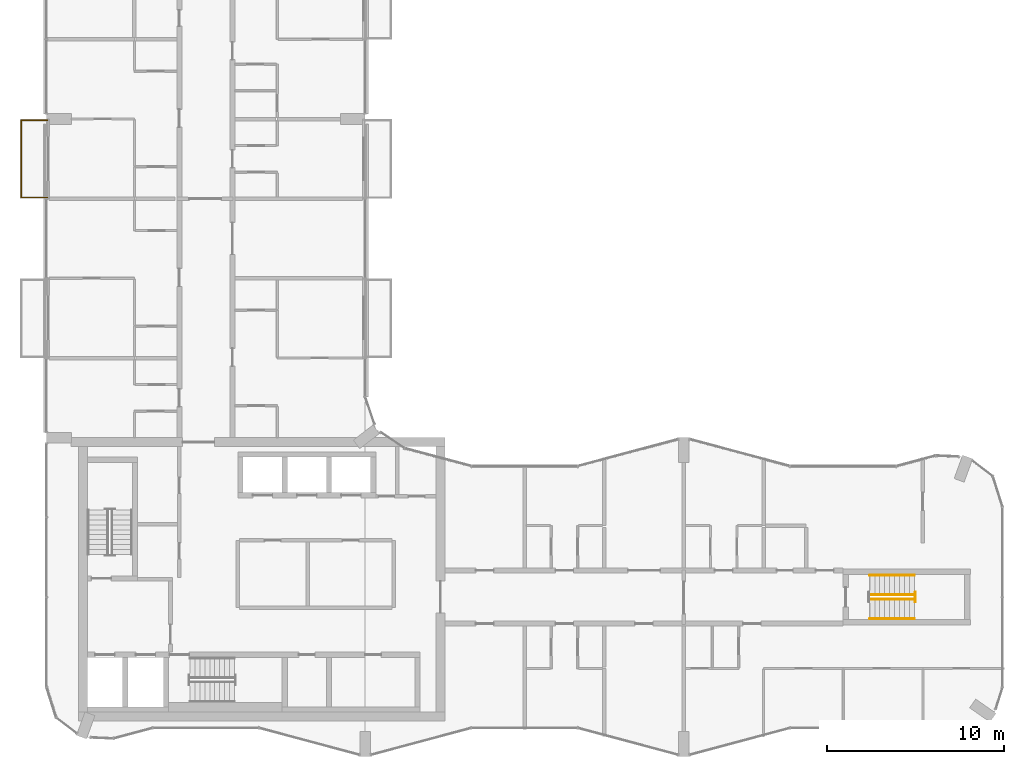
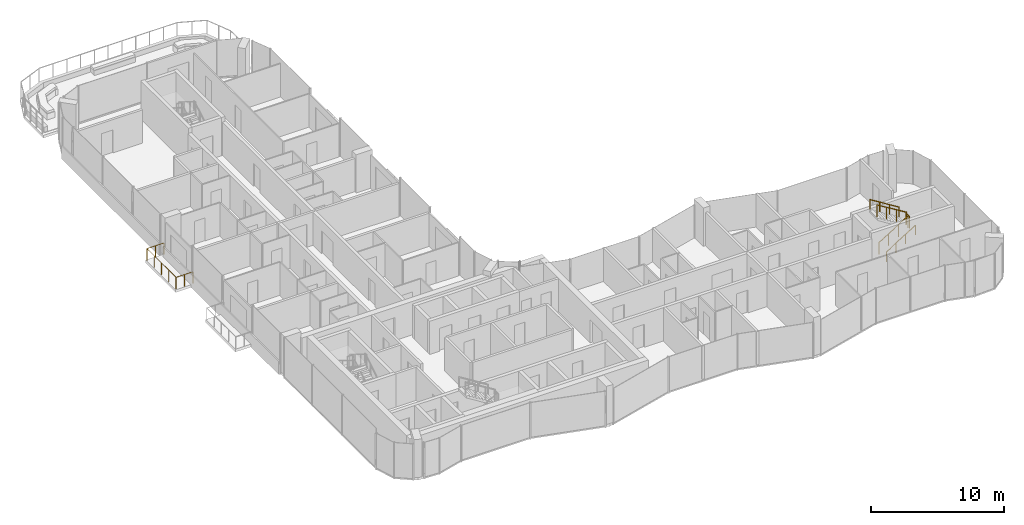
# One storey, part 16 of 17: 6 railings.
"""IFC4 building model written with IfcOpenShell, lengths in metres."""

from ifc_helpers import new_model, si_unit, direction, frame, origin, origin_2d, place, context, subcontext, project, spatial, circle, extrude, material, type_object, element, save


model = new_model("IFC4")

# Units and contexts
model_context = context("Model", 3, precision=1e-05, world=origin(), true_north=direction((0.0, 1.0)))
body_context = subcontext(model_context, "Body", "Model", "MODEL_VIEW")
ifc_project = project(units=[si_unit("LENGTHUNIT", "METRE"), si_unit("AREAUNIT", "SQUARE_METRE"), si_unit("VOLUMEUNIT", "CUBIC_METRE"), si_unit("PLANEANGLEUNIT", "RADIAN"), si_unit("MASSUNIT", "GRAM", prefix="KILO")], contexts=[model_context])

# Site, building, storey
site_placement = place(None, origin())
site = spatial("IfcSite", under=ifc_project, at=site_placement, CompositionType="ELEMENT")
building_placement = place(site_placement, origin())
building = spatial("IfcBuilding", under=site, at=building_placement, Name="Plateau Cross Towers", CompositionType="ELEMENT")
storey_placement = place(building_placement, frame((0.0, 0.0, 225.89990234375)))
storey = spatial("IfcBuildingStorey", under=building, at=storey_placement, Name="L59", CompositionType="ELEMENT", Elevation=225.89990234375)

# Railings
ifc_material_1 = material(Name="Stainless steel and toughened glass", Category="steel")
railing_type_1 = type_object("IfcRailingType", Name="Glass balustrade guard 1100", PredefinedType="GUARDRAIL", material=ifc_material_1)
railing_1_placement = place(storey_placement, frame((0.050048828125, 31.570068359375, 0.0)))
element("IfcRailing", 1, at=railing_1_placement, inside=storey, type_object=railing_type_1, Name="Guard guard1", PredefinedType="GUARDRAIL", context=body_context, shape_type="SweptSolid", body=[
    extrude(circle(Radius=0.02392578125, at=origin_2d()), frame((0.0, 0.0, 1.076171875), z_axis=(-1.0, 0.0, 0.0), x_axis=(0.0, -1.0, 0.0)), (0.0, 0.0, 1.0), 1.47998046875),
    extrude(circle(Radius=0.02392578125, at=origin_2d()), frame((-1.47998046875, 0.0, 1.076171875), z_axis=(0.0, 1.0, 0.0), x_axis=(-1.0, 0.0, 0.0)), (0.0, 0.0, 1.0), 4.35986328125),
    extrude(circle(Radius=0.02392578125, at=origin_2d()), frame((-1.47998046875, 4.35986328125, 1.076171875), z_axis=(1.0, 0.0, 0.0), x_axis=(0.0, 1.0, 0.0)), (0.0, 0.0, 1.0), 1.47998046875),
    extrude(circle(Radius=0.02099609375, at=origin_2d()), origin(), (0.0, 0.0, 1.0), 1.052001953125),
    extrude(circle(Radius=0.02099609375, at=origin_2d()), frame((-0.739990234375, 0.0, 0.0)), (0.0, 0.0, 1.0), 1.052001953125),
    extrude(circle(Radius=0.02099609375, at=origin_2d()), frame((-1.47998046875, 0.0, 0.0)), (0.0, 0.0, 1.0), 1.052001953125),
    extrude(circle(Radius=0.02099609375, at=origin_2d()), frame((-1.47998046875, 1.08984375, 0.0)), (0.0, 0.0, 1.0), 1.052001953125),
    extrude(circle(Radius=0.02099609375, at=origin_2d()), frame((-1.47998046875, 2.179931640625, 0.0)), (0.0, 0.0, 1.0), 1.052001953125),
    extrude(circle(Radius=0.02099609375, at=origin_2d()), frame((-1.47998046875, 3.27001953125, 0.0)), (0.0, 0.0, 1.0), 1.052001953125),
    extrude(circle(Radius=0.02099609375, at=origin_2d()), frame((-1.47998046875, 4.35986328125, 0.0)), (0.0, 0.0, 1.0), 1.052001953125),
    extrude(circle(Radius=0.02099609375, at=origin_2d()), frame((-0.739990234375, 4.35986328125, 0.0)), (0.0, 0.0, 1.0), 1.052001953125),
    extrude(circle(Radius=0.02099609375, at=origin_2d()), frame((0.0, 4.35986328125, 0.0)), (0.0, 0.0, 1.0), 1.052001953125),
])
railing_type_2 = type_object("IfcRailingType", Name="RL-GUARD-1100", PredefinedType="GUARDRAIL", material=ifc_material_1)
railing_2_placement = place(storey_placement, frame((46.5, 8.875, 0.175048828125)))
element("IfcRailing", 2, at=railing_2_placement, inside=storey, type_object=railing_type_2, Name="L59 ES-E stair guard 1", PredefinedType="GUARDRAIL", context=body_context, shape_type="SweptSolid", body=[
    extrude(circle(Radius=0.02392578125, at=origin_2d()), frame((0.0, 0.0, 1.076171875), z_axis=(0.848007534815, 0.0, 0.529984170421), x_axis=(0.0, 1.0, 0.0)), (0.0, 0.0, 1.0), 2.9716796875),
    extrude(circle(Radius=0.02099609375, at=origin_2d()), origin(), (0.0, 0.0, 1.0), 1.052001953125),
    extrude(circle(Radius=0.02099609375, at=origin_2d()), frame((0.840087890625, 0.0, 0.52490234375)), (0.0, 0.0, 1.0), 1.052001953125),
    extrude(circle(Radius=0.02099609375, at=origin_2d()), frame((1.679931640625, 0.0, 1.050048828125)), (0.0, 0.0, 1.0), 1.052001953125),
    extrude(circle(Radius=0.02099609375, at=origin_2d()), frame((2.52001953125, 0.0, 1.574951171875)), (0.0, 0.0, 1.0), 1.052001953125),
])
railing_3_placement = place(storey_placement, frame((49.070068359375, 8.72509765625, 1.75)))
element("IfcRailing", 3, at=railing_3_placement, inside=storey, type_object=railing_type_2, Name="L59 ES-E stair guard 2", PredefinedType="GUARDRAIL", context=body_context, shape_type="SweptSolid", body=[
    extrude(circle(Radius=0.02392578125, at=origin_2d()), frame((0.0, 0.0, 1.076171875), z_axis=(0.0, 1.0, 0.0), x_axis=(-1.0, 0.0, 0.0)), (0.0, 0.0, 1.0), 0.5498046875),
    extrude(circle(Radius=0.02099609375, at=origin_2d()), origin(), (0.0, 0.0, 1.0), 1.052001953125),
    extrude(circle(Radius=0.02099609375, at=origin_2d()), frame((0.0, 0.5498046875, 0.0)), (0.0, 0.0, 1.0), 1.052001953125),
])
railing_4_placement = place(storey_placement, frame((49.02001953125, 9.125, 1.925048828125)))
element("IfcRailing", 4, at=railing_4_placement, inside=storey, type_object=railing_type_2, Name="L59 ES-E stair guard 3", PredefinedType="GUARDRAIL", context=body_context, shape_type="SweptSolid", body=[
    extrude(circle(Radius=0.02392578125, at=origin_2d()), frame((0.0, 0.0, 1.076171875), z_axis=(-0.852638500773, 0.0, 0.522501279423), x_axis=(0.0, -1.0, 0.0)), (0.0, 0.0, 1.0), 3.01416015625),
    extrude(circle(Radius=0.02099609375, at=origin_2d()), origin(), (0.0, 0.0, 1.0), 1.052001953125),
    extrude(circle(Radius=0.02099609375, at=origin_2d()), frame((-0.856689453125, 0.0, 0.52490234375)), (0.0, 0.0, 1.0), 1.052001953125),
    extrude(circle(Radius=0.02099609375, at=origin_2d()), frame((-1.71337890625, 0.0, 1.050048828125)), (0.0, 0.0, 1.0), 1.052001953125),
    extrude(circle(Radius=0.02099609375, at=origin_2d()), frame((-2.570068359375, 0.0, 1.574951171875)), (0.0, 0.0, 1.0), 1.052001953125),
])
ifc_material_2 = material(Name="Black anodised aluminium", Category="aluminium")
railing_type_3 = type_object("IfcRailingType", Name="RL-HANDRAIL-900", PredefinedType="HANDRAIL", material=ifc_material_2)
railing_5_placement = place(storey_placement, frame((46.5, 7.77490234375, 0.175048828125)))
element("IfcRailing", 5, at=railing_5_placement, inside=storey, type_object=railing_type_3, Name="L59 ES-E stair handrail 1", PredefinedType="HANDRAIL", context=body_context, shape_type="SweptSolid", body=[
    extrude(circle(Radius=0.02392578125, at=origin_2d()), frame((0.0, 0.0, 0.8759765625), z_axis=(0.848007534815, 0.0, 0.529984170421), x_axis=(0.0, 1.0, 0.0)), (0.0, 0.0, 1.0), 2.9716796875),
    extrude(circle(Radius=0.02099609375, at=origin_2d()), origin(), (0.0, 0.0, 1.0), 0.851806640625),
    extrude(circle(Radius=0.02099609375, at=origin_2d()), frame((0.840087890625, 0.0, 0.52490234375)), (0.0, 0.0, 1.0), 0.851806640625),
    extrude(circle(Radius=0.02099609375, at=origin_2d()), frame((1.679931640625, 0.0, 1.050048828125)), (0.0, 0.0, 1.0), 0.851806640625),
    extrude(circle(Radius=0.02099609375, at=origin_2d()), frame((2.52001953125, 0.0, 1.574951171875)), (0.0, 0.0, 1.0), 0.851806640625),
])
railing_6_placement = place(storey_placement, frame((49.02001953125, 10.22509765625, 1.925048828125)))
element("IfcRailing", 6, at=railing_6_placement, inside=storey, type_object=railing_type_3, Name="L59 ES-E stair handrail 2", PredefinedType="HANDRAIL", context=body_context, shape_type="SweptSolid", body=[
    extrude(circle(Radius=0.02392578125, at=origin_2d()), frame((0.0, 0.0, 0.8759765625), z_axis=(-0.848007534815, 0.0, 0.529984170421), x_axis=(0.0, -1.0, 0.0)), (0.0, 0.0, 1.0), 2.9716796875),
    extrude(circle(Radius=0.02099609375, at=origin_2d()), origin(), (0.0, 0.0, 1.0), 0.851806640625),
    extrude(circle(Radius=0.02099609375, at=origin_2d()), frame((-0.840087890625, 0.0, 0.52490234375)), (0.0, 0.0, 1.0), 0.851806640625),
    extrude(circle(Radius=0.02099609375, at=origin_2d()), frame((-1.679931640625, 0.0, 1.050048828125)), (0.0, 0.0, 1.0), 0.851806640625),
    extrude(circle(Radius=0.02099609375, at=origin_2d()), frame((-2.52001953125, 0.0, 1.574951171875)), (0.0, 0.0, 1.0), 0.851806640625),
])

save(model, "model.ifc")
